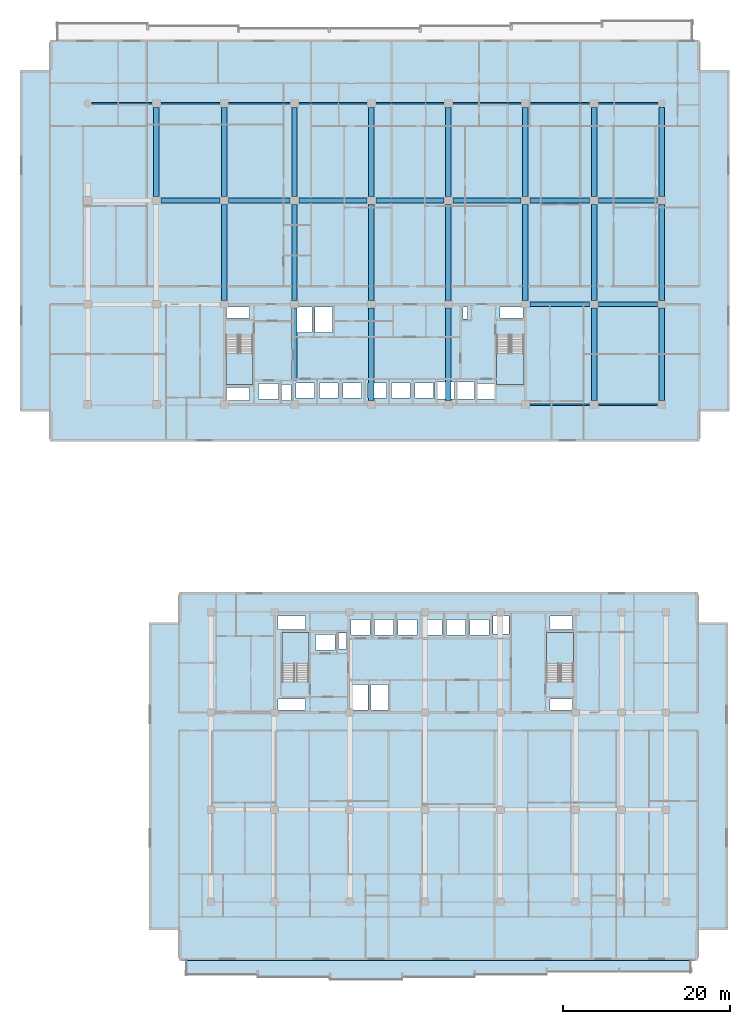
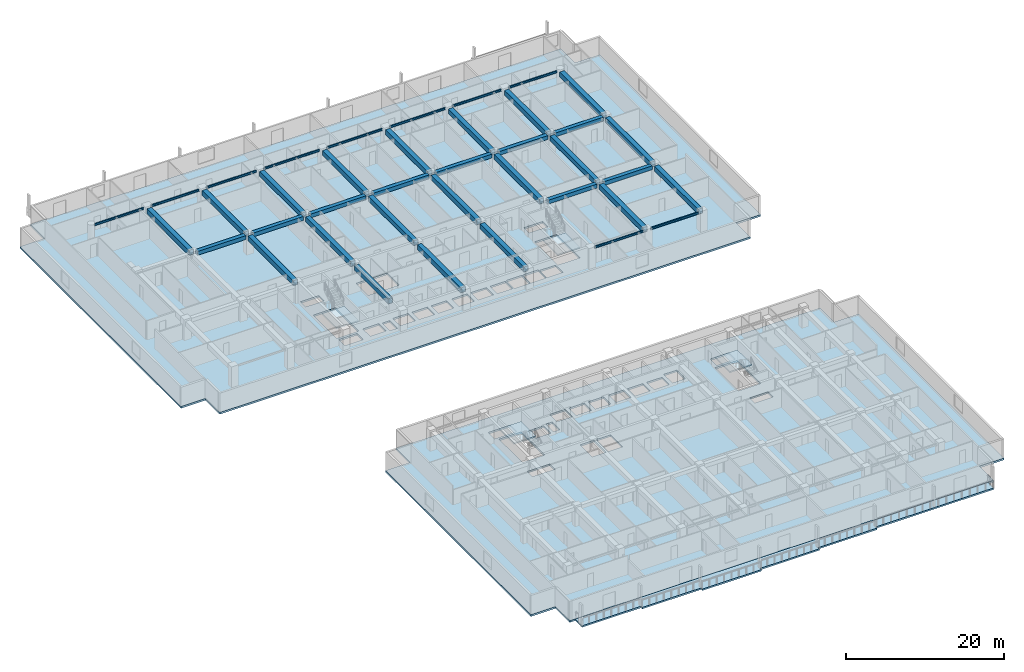
# One storey, part 2 of 24: 39 beams, 7 slabs, 4 elements without a shape of their own.
"""IFC4 building model written with IfcOpenShell, lengths in metres."""

from ifc_helpers import new_model, si_unit, direction, frame, origin, origin_2d, place, context, subcontext, project, spatial, polyline, rectangle, i_section, outline, extrude, material, layer, layer_set, material_profile, profile_set, type_object, element, aggregate, save


model = new_model("IFC4")

# Units and contexts
model_context = context("Model", 3, precision=1e-05, world=origin(), true_north=direction((0.0, 1.0)))
body_context = subcontext(model_context, "Body", "Model", "MODEL_VIEW")
ifc_project = project(units=[si_unit("LENGTHUNIT", "METRE"), si_unit("AREAUNIT", "SQUARE_METRE"), si_unit("VOLUMEUNIT", "CUBIC_METRE"), si_unit("PLANEANGLEUNIT", "RADIAN"), si_unit("MASSUNIT", "GRAM", prefix="KILO")], contexts=[model_context])

# Site, building, storey
site_placement = place(None, origin())
site = spatial("IfcSite", under=ifc_project, at=site_placement, CompositionType="ELEMENT")
building_placement = place(site_placement, origin())
building = spatial("IfcBuilding", under=site, at=building_placement, Name="Korimba Cascade Residences", CompositionType="ELEMENT")
storey_placement = place(building_placement, frame((0.0, 0.0, 63.0)))
storey = spatial("IfcBuildingStorey", under=building, at=storey_placement, Name="L17", CompositionType="ELEMENT", Elevation=63.0)

# Beams
ifc_material_1 = material(Name="Concrete C50/60", Category="concrete")
ifc_material_profile_1 = material_profile(ifc_material_1, rectangle(XDim=0.550048828125, YDim=0.60009765625, at=origin_2d()), Name="Concrete C50/60")
ifc_profile_set_1 = profile_set([ifc_material_profile_1], Name="Concrete C50/60")
beam_type_1 = type_object("IfcBeamType", Name="BM-RC-B600", PredefinedType="BEAM", material=ifc_profile_set_1)
beam_1_placement = place(storey_placement, frame((112.625, 67.199951171875, 2.669921875), z_axis=(1.0, 0.0, 0.0), x_axis=(0.0, 1.0, 0.0)))
element("IfcBeam", 1, at=beam_1_placement, inside=storey, type_object=beam_type_1, Name="L17 T1 E-W Girder Y2 Bay 7", PredefinedType="BEAM", context=body_context, shape_type="SweptSolid", body=[
    extrude(rectangle(XDim=0.550048828125, YDim=0.60009765625, at=origin_2d()), origin(), (0.0, 0.0, 1.0), 7.14990234375),
])
for number, where, z_axis, x_axis, name in (
    (2, (120.824951171875, 67.199951171875, 2.669921875), (1.0, 0.0, 0.0), (0.0, 1.0, 0.0), "L17 T1 E-W Girder Y2 Bay 8"),
    (3, (68.52490234375, 79.60009765625, 2.669921875), (1.0, 0.0, 0.0), (0.0, 1.0, 0.0), "L17 T1 E-W Girder Y3 Bay 2"),
):
    element("IfcBeam", number, at=place(storey_placement, frame(where, z_axis=z_axis, x_axis=x_axis)), inside=storey, type_object=beam_type_1, Name=name, PredefinedType="BEAM", context=body_context, shape_type="SweptSolid", body=[
        extrude(rectangle(XDim=0.550048828125, YDim=0.60009765625, at=origin_2d()), origin(), (0.0, 0.0, 1.0), 7.050048828125),
    ])
beam_2_placement = place(storey_placement, frame((76.625, 79.60009765625, 2.669921875), z_axis=(1.0, 0.0, 0.0), x_axis=(0.0, 1.0, 0.0)))
element("IfcBeam", 4, at=beam_2_placement, inside=storey, type_object=beam_type_1, Name="L17 T1 E-W Girder Y3 Bay 3", PredefinedType="BEAM", context=body_context, shape_type="SweptSolid", body=[
    extrude(rectangle(XDim=0.550048828125, YDim=0.60009765625, at=origin_2d()), origin(), (0.0, 0.0, 1.0), 7.35009765625),
])
beam_3_placement = place(storey_placement, frame((85.02490234375, 79.60009765625, 2.669921875), z_axis=(1.0, 0.0, 0.0), x_axis=(0.0, 1.0, 0.0)))
element("IfcBeam", 5, at=beam_3_placement, inside=storey, type_object=beam_type_1, Name="L17 T1 E-W Girder Y3 Bay 4", PredefinedType="BEAM", context=body_context, shape_type="SweptSolid", body=[
    extrude(rectangle(XDim=0.550048828125, YDim=0.60009765625, at=origin_2d()), origin(), (0.0, 0.0, 1.0), 8.150146484375),
])
for number, where, z_axis, x_axis, name in (
    (6, (94.22509765625, 79.60009765625, 2.669921875), (1.0, 0.0, 0.0), (0.0, 1.0, 0.0), "L17 T1 E-W Girder Y3 Bay 5"),
    (7, (103.425048828125, 79.60009765625, 2.669921875), (1.0, 0.0, 0.0), (0.0, 1.0, 0.0), "L17 T1 E-W Girder Y3 Bay 6"),
):
    element("IfcBeam", number, at=place(storey_placement, frame(where, z_axis=z_axis, x_axis=x_axis)), inside=storey, type_object=beam_type_1, Name=name, PredefinedType="BEAM", context=body_context, shape_type="SweptSolid", body=[
        extrude(rectangle(XDim=0.550048828125, YDim=0.60009765625, at=origin_2d()), origin(), (0.0, 0.0, 1.0), 8.14990234375),
    ])
beam_4_placement = place(storey_placement, frame((112.625, 79.60009765625, 2.669921875), z_axis=(1.0, 0.0, 0.0), x_axis=(0.0, 1.0, 0.0)))
element("IfcBeam", 8, at=beam_4_placement, inside=storey, type_object=beam_type_1, Name="L17 T1 E-W Girder Y3 Bay 7", PredefinedType="BEAM", context=body_context, shape_type="SweptSolid", body=[
    extrude(rectangle(XDim=0.550048828125, YDim=0.60009765625, at=origin_2d()), origin(), (0.0, 0.0, 1.0), 7.14990234375),
])
beam_5_placement = place(storey_placement, frame((120.824951171875, 79.60009765625, 2.669921875), z_axis=(1.0, 0.0, 0.0), x_axis=(0.0, 1.0, 0.0)))
element("IfcBeam", 9, at=beam_5_placement, inside=storey, type_object=beam_type_1, Name="L17 T1 E-W Girder Y3 Bay 8", PredefinedType="BEAM", context=body_context, shape_type="SweptSolid", body=[
    extrude(rectangle(XDim=0.550048828125, YDim=0.60009765625, at=origin_2d()), origin(), (0.0, 0.0, 1.0), 7.050048828125),
])
ifc_material_profile_2 = material_profile(ifc_material_1, rectangle(XDim=0.64990234375, YDim=0.75, at=origin_2d()), Name="Concrete C50/60")
ifc_profile_set_2 = profile_set([ifc_material_profile_2], Name="Concrete C50/60")
beam_type_2 = type_object("IfcBeamType", Name="BM-RC-G750", PredefinedType="BEAM", material=ifc_profile_set_2)
beam_6_placement = place(storey_placement, frame((68.0, 80.074951171875, 2.594970703125), z_axis=(0.0, 1.0, 0.0), x_axis=(-1.0, 0.0, 0.0)))
element("IfcBeam", 10, at=beam_6_placement, inside=storey, type_object=beam_type_2, Name="L17 T1 N-S Girder X2 Seg 3", PredefinedType="BEAM", context=body_context, shape_type="SweptSolid", body=[
    extrude(rectangle(XDim=0.64990234375, YDim=0.75, at=origin_2d()), origin(), (0.0, 0.0, 1.0), 10.650146484375),
])
beam_7_placement = place(storey_placement, frame((76.10009765625, 67.675048828125, 2.594970703125), z_axis=(0.0, 1.0, 0.0), x_axis=(-1.0, 0.0, 0.0)))
element("IfcBeam", 11, at=beam_7_placement, inside=storey, type_object=beam_type_2, Name="L17 T1 N-S Girder X3 Seg 2", PredefinedType="BEAM", context=body_context, shape_type="SweptSolid", body=[
    extrude(rectangle(XDim=0.64990234375, YDim=0.75, at=origin_2d()), origin(), (0.0, 0.0, 1.0), 11.449951171875),
])
beam_8_placement = place(storey_placement, frame((76.10009765625, 80.074951171875, 2.594970703125), z_axis=(0.0, 1.0, 0.0), x_axis=(-1.0, 0.0, 0.0)))
element("IfcBeam", 12, at=beam_8_placement, inside=storey, type_object=beam_type_2, Name="L17 T1 N-S Girder X3 Seg 3", PredefinedType="BEAM", context=body_context, shape_type="SweptSolid", body=[
    extrude(rectangle(XDim=0.64990234375, YDim=0.75, at=origin_2d()), origin(), (0.0, 0.0, 1.0), 10.650146484375),
])
beam_9_placement = place(storey_placement, frame((84.5, 58.159912109375, 2.594970703125), z_axis=(0.0, 1.0, 0.0), x_axis=(-1.0, 0.0, 0.0)))
element("IfcBeam", 13, at=beam_9_placement, inside=storey, type_object=beam_type_2, Name="L17 T1 N-S Girder X4 Seg 1", PredefinedType="BEAM", context=body_context, shape_type="SweptSolid", body=[
    extrude(rectangle(XDim=0.64990234375, YDim=0.75, at=origin_2d()), origin(), (0.0, 0.0, 1.0), 8.565185546875),
])
beam_10_placement = place(storey_placement, frame((84.5, 67.675048828125, 2.594970703125), z_axis=(0.0, 1.0, 0.0), x_axis=(-1.0, 0.0, 0.0)))
element("IfcBeam", 14, at=beam_10_placement, inside=storey, type_object=beam_type_2, Name="L17 T1 N-S Girder X4 Seg 2", PredefinedType="BEAM", context=body_context, shape_type="SweptSolid", body=[
    extrude(rectangle(XDim=0.64990234375, YDim=0.75, at=origin_2d()), origin(), (0.0, 0.0, 1.0), 11.449951171875),
])
beam_11_placement = place(storey_placement, frame((84.5, 80.074951171875, 2.594970703125), z_axis=(0.0, 1.0, 0.0), x_axis=(-1.0, 0.0, 0.0)))
element("IfcBeam", 15, at=beam_11_placement, inside=storey, type_object=beam_type_2, Name="L17 T1 N-S Girder X4 Seg 3", PredefinedType="BEAM", context=body_context, shape_type="SweptSolid", body=[
    extrude(rectangle(XDim=0.64990234375, YDim=0.75, at=origin_2d()), origin(), (0.0, 0.0, 1.0), 10.650146484375),
])
beam_12_placement = place(storey_placement, frame((93.699951171875, 55.675048828125, 2.594970703125), z_axis=(0.0, 1.0, 0.0), x_axis=(-1.0, 0.0, 0.0)))
element("IfcBeam", 16, at=beam_12_placement, inside=storey, type_object=beam_type_2, Name="L17 T1 N-S Girder X5 Seg 1", PredefinedType="BEAM", context=body_context, shape_type="SweptSolid", body=[
    extrude(rectangle(XDim=0.64990234375, YDim=0.75, at=origin_2d()), origin(), (0.0, 0.0, 1.0), 11.050048828125),
])
beam_13_placement = place(storey_placement, frame((93.699951171875, 67.675048828125, 2.594970703125), z_axis=(0.0, 1.0, 0.0), x_axis=(-1.0, 0.0, 0.0)))
element("IfcBeam", 17, at=beam_13_placement, inside=storey, type_object=beam_type_2, Name="L17 T1 N-S Girder X5 Seg 2", PredefinedType="BEAM", context=body_context, shape_type="SweptSolid", body=[
    extrude(rectangle(XDim=0.64990234375, YDim=0.75, at=origin_2d()), origin(), (0.0, 0.0, 1.0), 11.449951171875),
])
beam_14_placement = place(storey_placement, frame((93.699951171875, 80.074951171875, 2.594970703125), z_axis=(0.0, 1.0, 0.0), x_axis=(-1.0, 0.0, 0.0)))
element("IfcBeam", 18, at=beam_14_placement, inside=storey, type_object=beam_type_2, Name="L17 T1 N-S Girder X5 Seg 3", PredefinedType="BEAM", context=body_context, shape_type="SweptSolid", body=[
    extrude(rectangle(XDim=0.64990234375, YDim=0.75, at=origin_2d()), origin(), (0.0, 0.0, 1.0), 10.650146484375),
])
beam_15_placement = place(storey_placement, frame((102.89990234375, 55.675048828125, 2.594970703125), z_axis=(0.0, 1.0, 0.0), x_axis=(-1.0, 0.0, 0.0)))
element("IfcBeam", 19, at=beam_15_placement, inside=storey, type_object=beam_type_2, Name="L17 T1 N-S Girder X6 Seg 1", PredefinedType="BEAM", context=body_context, shape_type="SweptSolid", body=[
    extrude(rectangle(XDim=0.64990234375, YDim=0.75, at=origin_2d()), origin(), (0.0, 0.0, 1.0), 11.050048828125),
])
beam_16_placement = place(storey_placement, frame((102.89990234375, 67.675048828125, 2.594970703125), z_axis=(0.0, 1.0, 0.0), x_axis=(-1.0, 0.0, 0.0)))
element("IfcBeam", 20, at=beam_16_placement, inside=storey, type_object=beam_type_2, Name="L17 T1 N-S Girder X6 Seg 2", PredefinedType="BEAM", context=body_context, shape_type="SweptSolid", body=[
    extrude(rectangle(XDim=0.64990234375, YDim=0.75, at=origin_2d()), origin(), (0.0, 0.0, 1.0), 11.449951171875),
])
beam_17_placement = place(storey_placement, frame((102.89990234375, 80.074951171875, 2.594970703125), z_axis=(0.0, 1.0, 0.0), x_axis=(-1.0, 0.0, 0.0)))
element("IfcBeam", 21, at=beam_17_placement, inside=storey, type_object=beam_type_2, Name="L17 T1 N-S Girder X6 Seg 3", PredefinedType="BEAM", context=body_context, shape_type="SweptSolid", body=[
    extrude(rectangle(XDim=0.64990234375, YDim=0.75, at=origin_2d()), origin(), (0.0, 0.0, 1.0), 10.650146484375),
])
beam_18_placement = place(storey_placement, frame((112.10009765625, 67.675048828125, 2.594970703125), z_axis=(0.0, 1.0, 0.0), x_axis=(-1.0, 0.0, 0.0)))
element("IfcBeam", 22, at=beam_18_placement, inside=storey, type_object=beam_type_2, Name="L17 T1 N-S Girder X7 Seg 2", PredefinedType="BEAM", context=body_context, shape_type="SweptSolid", body=[
    extrude(rectangle(XDim=0.64990234375, YDim=0.75, at=origin_2d()), origin(), (0.0, 0.0, 1.0), 11.449951171875),
])
beam_19_placement = place(storey_placement, frame((112.10009765625, 80.074951171875, 2.594970703125), z_axis=(0.0, 1.0, 0.0), x_axis=(-1.0, 0.0, 0.0)))
element("IfcBeam", 23, at=beam_19_placement, inside=storey, type_object=beam_type_2, Name="L17 T1 N-S Girder X7 Seg 3", PredefinedType="BEAM", context=body_context, shape_type="SweptSolid", body=[
    extrude(rectangle(XDim=0.64990234375, YDim=0.75, at=origin_2d()), origin(), (0.0, 0.0, 1.0), 10.650146484375),
])
beam_20_placement = place(storey_placement, frame((120.300048828125, 55.675048828125, 2.594970703125), z_axis=(0.0, 1.0, 0.0), x_axis=(-1.0, 0.0, 0.0)))
element("IfcBeam", 24, at=beam_20_placement, inside=storey, type_object=beam_type_2, Name="L17 T1 N-S Girder X8 Seg 1", PredefinedType="BEAM", context=body_context, shape_type="SweptSolid", body=[
    extrude(rectangle(XDim=0.64990234375, YDim=0.75, at=origin_2d()), origin(), (0.0, 0.0, 1.0), 11.050048828125),
])
beam_21_placement = place(storey_placement, frame((120.300048828125, 67.675048828125, 2.594970703125), z_axis=(0.0, 1.0, 0.0), x_axis=(-1.0, 0.0, 0.0)))
element("IfcBeam", 25, at=beam_21_placement, inside=storey, type_object=beam_type_2, Name="L17 T1 N-S Girder X8 Seg 2", PredefinedType="BEAM", context=body_context, shape_type="SweptSolid", body=[
    extrude(rectangle(XDim=0.64990234375, YDim=0.75, at=origin_2d()), origin(), (0.0, 0.0, 1.0), 11.449951171875),
])
beam_22_placement = place(storey_placement, frame((120.300048828125, 80.074951171875, 2.594970703125), z_axis=(0.0, 1.0, 0.0), x_axis=(-1.0, 0.0, 0.0)))
element("IfcBeam", 26, at=beam_22_placement, inside=storey, type_object=beam_type_2, Name="L17 T1 N-S Girder X8 Seg 3", PredefinedType="BEAM", context=body_context, shape_type="SweptSolid", body=[
    extrude(rectangle(XDim=0.64990234375, YDim=0.75, at=origin_2d()), origin(), (0.0, 0.0, 1.0), 10.650146484375),
])
beam_23_placement = place(storey_placement, frame((128.39990234375, 55.675048828125, 2.594970703125), z_axis=(0.0, 1.0, 0.0), x_axis=(-1.0, 0.0, 0.0)))
element("IfcBeam", 27, at=beam_23_placement, inside=storey, type_object=beam_type_2, Name="L17 T1 N-S Girder X9 Seg 1", PredefinedType="BEAM", context=body_context, shape_type="SweptSolid", body=[
    extrude(rectangle(XDim=0.64990234375, YDim=0.75, at=origin_2d()), origin(), (0.0, 0.0, 1.0), 11.050048828125),
])
beam_24_placement = place(storey_placement, frame((128.39990234375, 67.675048828125, 2.594970703125), z_axis=(0.0, 1.0, 0.0), x_axis=(-1.0, 0.0, 0.0)))
element("IfcBeam", 28, at=beam_24_placement, inside=storey, type_object=beam_type_2, Name="L17 T1 N-S Girder X9 Seg 2", PredefinedType="BEAM", context=body_context, shape_type="SweptSolid", body=[
    extrude(rectangle(XDim=0.64990234375, YDim=0.75, at=origin_2d()), origin(), (0.0, 0.0, 1.0), 11.449951171875),
])
beam_25_placement = place(storey_placement, frame((128.39990234375, 80.074951171875, 2.594970703125), z_axis=(0.0, 1.0, 0.0), x_axis=(-1.0, 0.0, 0.0)))
element("IfcBeam", 29, at=beam_25_placement, inside=storey, type_object=beam_type_2, Name="L17 T1 N-S Girder X9 Seg 3", PredefinedType="BEAM", context=body_context, shape_type="SweptSolid", body=[
    extrude(rectangle(XDim=0.64990234375, YDim=0.75, at=origin_2d()), origin(), (0.0, 0.0, 1.0), 10.650146484375),
])
ifc_material_2 = material(Name="Steel S355", Category="steel")
ifc_material_profile_3 = material_profile(ifc_material_2, i_section(OverallWidth=0.165771484375, OverallDepth=0.306640625, WebThickness=0.006591796875, FlangeThickness=0.01171875, FilletRadius=0.0087890625, at=origin_2d()), Name="Steel S355")
ifc_profile_set_3 = profile_set([ifc_material_profile_3], Name="Steel S355")
beam_type_3 = type_object("IfcBeamType", Name="BM-STL-UB305", PredefinedType="SPANDREL", material=ifc_profile_set_3)
beam_26_placement = place(storey_placement, frame((112.625, 55.199951171875, 2.816650390625), z_axis=(1.0, 0.0, 0.0), x_axis=(0.0, 1.0, 0.0)))
element("IfcBeam", 30, at=beam_26_placement, inside=storey, type_object=beam_type_3, Name="L17 T1 E-W Girder Y1 Bay 7", PredefinedType="SPANDREL", context=body_context, shape_type="SweptSolid", body=[
    extrude(i_section(OverallWidth=0.165771484375, OverallDepth=0.306640625, WebThickness=0.006591796875, FlangeThickness=0.01171875, FilletRadius=0.0087890625, at=origin_2d()), origin(), (0.0, 0.0, 1.0), 7.14990234375),
])
beam_27_placement = place(storey_placement, frame((120.824951171875, 55.199951171875, 2.816650390625), z_axis=(1.0, 0.0, 0.0), x_axis=(0.0, 1.0, 0.0)))
element("IfcBeam", 31, at=beam_27_placement, inside=storey, type_object=beam_type_3, Name="L17 T1 E-W Girder Y1 Bay 8", PredefinedType="SPANDREL", context=body_context, shape_type="SweptSolid", body=[
    extrude(i_section(OverallWidth=0.165771484375, OverallDepth=0.306640625, WebThickness=0.006591796875, FlangeThickness=0.01171875, FilletRadius=0.0087890625, at=origin_2d()), origin(), (0.0, 0.0, 1.0), 7.050048828125),
])
beam_28_placement = place(storey_placement, frame((60.27490234375, 91.199951171875, 2.816650390625), z_axis=(1.0, 0.0, 0.0), x_axis=(0.0, 1.0, 0.0)))
element("IfcBeam", 32, at=beam_28_placement, inside=storey, type_object=beam_type_3, Name="L17 T1 E-W Girder Y4 Bay 1", PredefinedType="SPANDREL", context=body_context, shape_type="SweptSolid", body=[
    extrude(i_section(OverallWidth=0.165771484375, OverallDepth=0.306640625, WebThickness=0.006591796875, FlangeThickness=0.01171875, FilletRadius=0.0087890625, at=origin_2d()), origin(), (0.0, 0.0, 1.0), 7.2001953125),
])
beam_29_placement = place(storey_placement, frame((68.52490234375, 91.199951171875, 2.816650390625), z_axis=(1.0, 0.0, 0.0), x_axis=(0.0, 1.0, 0.0)))
element("IfcBeam", 33, at=beam_29_placement, inside=storey, type_object=beam_type_3, Name="L17 T1 E-W Girder Y4 Bay 2", PredefinedType="SPANDREL", context=body_context, shape_type="SweptSolid", body=[
    extrude(i_section(OverallWidth=0.165771484375, OverallDepth=0.306640625, WebThickness=0.006591796875, FlangeThickness=0.01171875, FilletRadius=0.0087890625, at=origin_2d()), origin(), (0.0, 0.0, 1.0), 7.050048828125),
])
beam_30_placement = place(storey_placement, frame((76.625, 91.199951171875, 2.816650390625), z_axis=(1.0, 0.0, 0.0), x_axis=(0.0, 1.0, 0.0)))
element("IfcBeam", 34, at=beam_30_placement, inside=storey, type_object=beam_type_3, Name="L17 T1 E-W Girder Y4 Bay 3", PredefinedType="SPANDREL", context=body_context, shape_type="SweptSolid", body=[
    extrude(i_section(OverallWidth=0.165771484375, OverallDepth=0.306640625, WebThickness=0.006591796875, FlangeThickness=0.01171875, FilletRadius=0.0087890625, at=origin_2d()), origin(), (0.0, 0.0, 1.0), 7.35009765625),
])
beam_31_placement = place(storey_placement, frame((85.02490234375, 91.199951171875, 2.816650390625), z_axis=(1.0, 0.0, 0.0), x_axis=(0.0, 1.0, 0.0)))
element("IfcBeam", 35, at=beam_31_placement, inside=storey, type_object=beam_type_3, Name="L17 T1 E-W Girder Y4 Bay 4", PredefinedType="SPANDREL", context=body_context, shape_type="SweptSolid", body=[
    extrude(i_section(OverallWidth=0.165771484375, OverallDepth=0.306640625, WebThickness=0.006591796875, FlangeThickness=0.01171875, FilletRadius=0.0087890625, at=origin_2d()), origin(), (0.0, 0.0, 1.0), 8.150146484375),
])
for number, where, z_axis, x_axis, name in (
    (36, (94.22509765625, 91.199951171875, 2.816650390625), (1.0, 0.0, 0.0), (0.0, 1.0, 0.0), "L17 T1 E-W Girder Y4 Bay 5"),
    (37, (103.425048828125, 91.199951171875, 2.816650390625), (1.0, 0.0, 0.0), (0.0, 1.0, 0.0), "L17 T1 E-W Girder Y4 Bay 6"),
):
    element("IfcBeam", number, at=place(storey_placement, frame(where, z_axis=z_axis, x_axis=x_axis)), inside=storey, type_object=beam_type_3, Name=name, PredefinedType="SPANDREL", context=body_context, shape_type="SweptSolid", body=[
        extrude(i_section(OverallWidth=0.165771484375, OverallDepth=0.306640625, WebThickness=0.006591796875, FlangeThickness=0.01171875, FilletRadius=0.0087890625, at=origin_2d()), origin(), (0.0, 0.0, 1.0), 8.14990234375),
    ])
beam_32_placement = place(storey_placement, frame((112.625, 91.199951171875, 2.816650390625), z_axis=(1.0, 0.0, 0.0), x_axis=(0.0, 1.0, 0.0)))
element("IfcBeam", 38, at=beam_32_placement, inside=storey, type_object=beam_type_3, Name="L17 T1 E-W Girder Y4 Bay 7", PredefinedType="SPANDREL", context=body_context, shape_type="SweptSolid", body=[
    extrude(i_section(OverallWidth=0.165771484375, OverallDepth=0.306640625, WebThickness=0.006591796875, FlangeThickness=0.01171875, FilletRadius=0.0087890625, at=origin_2d()), origin(), (0.0, 0.0, 1.0), 7.14990234375),
])
beam_33_placement = place(storey_placement, frame((120.824951171875, 91.199951171875, 2.816650390625), z_axis=(1.0, 0.0, 0.0), x_axis=(0.0, 1.0, 0.0)))
element("IfcBeam", 39, at=beam_33_placement, inside=storey, type_object=beam_type_3, Name="L17 T1 E-W Girder Y4 Bay 8", PredefinedType="SPANDREL", context=body_context, shape_type="SweptSolid", body=[
    extrude(i_section(OverallWidth=0.165771484375, OverallDepth=0.306640625, WebThickness=0.006591796875, FlangeThickness=0.01171875, FilletRadius=0.0087890625, at=origin_2d()), origin(), (0.0, 0.0, 1.0), 7.10009765625),
])

# Stair, slab
stair_type_1 = type_object("IfcStairType", Name="STR-W1-18R-1806", PredefinedType="HALF_TURN_STAIR", material=ifc_material_1)
stair_1_placement = place(storey_placement, origin())
stair_1 = element("IfcStair", 40, at=stair_1_placement, inside=storey, type_object=stair_type_1, Name="L17 Tower 1 West Fire Stair ST-W1", PredefinedType="HALF_TURN_STAIR")
ifc_layer_1 = layer(ifc_material_1, 0.199951171875)
ifc_layer_set_1 = layer_set([ifc_layer_1], Name="Concrete C50/60")
slab_type_1 = type_object("IfcSlabType", Name="SLB-LND-220", PredefinedType="LANDING", material=ifc_layer_set_1)
slab_1_placement = place(storey_placement, frame((0.0, 0.0, 1.425048828125)))
slab_1 = element("IfcSlab", 41, at=slab_1_placement, type_object=slab_type_1, Name="ST-W1 landing 1", PredefinedType="LANDING", context=body_context, shape_type="SweptSolid", body=[
    extrude(outline(polyline([(76.300048828125, 61.31005859375), (76.300048828125, 57.60009765625), (79.5400390625, 57.60009765625), (79.5400390625, 61.31005859375), (76.300048828125, 61.31005859375)])), origin(), (0.0, 0.0, 1.0), 0.199951171875),
])
aggregate(stair_1, [slab_1])

stair_type_2 = type_object("IfcStairType", Name="STR-W2-18R-1806", PredefinedType="HALF_TURN_STAIR", material=ifc_material_1)
stair_2_placement = place(storey_placement, origin())
stair_2 = element("IfcStair", 42, at=stair_2_placement, inside=storey, type_object=stair_type_2, Name="L17 Tower 1 East Fire Stair ST-W2", PredefinedType="HALF_TURN_STAIR")
slab_2_placement = place(storey_placement, frame((0.0, 0.0, 1.425048828125)))
slab_2 = element("IfcSlab", 43, at=slab_2_placement, type_object=slab_type_1, Name="ST-W2 landing 1", PredefinedType="LANDING", context=body_context, shape_type="SweptSolid", body=[
    extrude(outline(polyline([(108.659912109375, 61.31005859375), (108.659912109375, 57.60009765625), (111.89990234375, 57.60009765625), (111.89990234375, 61.31005859375), (108.659912109375, 61.31005859375)])), origin(), (0.0, 0.0, 1.0), 0.199951171875),
])
aggregate(stair_2, [slab_2])

stair_type_3 = type_object("IfcStairType", Name="STR-E1-18R-1806", PredefinedType="HALF_TURN_STAIR", material=ifc_material_1)
stair_3_placement = place(storey_placement, origin())
stair_3 = element("IfcStair", 44, at=stair_3_placement, inside=storey, type_object=stair_type_3, Name="L17 Tower 2 West Fire Stair ST-E1", PredefinedType="HALF_TURN_STAIR")
slab_3_placement = place(storey_placement, frame((0.0, 0.0, 1.425048828125)))
slab_3 = element("IfcSlab", 45, at=slab_3_placement, type_object=slab_type_1, Name="ST-E1 landing 1", PredefinedType="LANDING", context=body_context, shape_type="SweptSolid", body=[
    extrude(outline(polyline([(86.239990234375, 24.2900390625), (86.239990234375, 28.0), (83.0, 28.0), (83.0, 24.2900390625), (86.239990234375, 24.2900390625)])), origin(), (0.0, 0.0, 1.0), 0.199951171875),
])
aggregate(stair_3, [slab_3])

stair_type_4 = type_object("IfcStairType", Name="STR-E2-18R-1806", PredefinedType="HALF_TURN_STAIR", material=ifc_material_1)
stair_4_placement = place(storey_placement, origin())
stair_4 = element("IfcStair", 46, at=stair_4_placement, inside=storey, type_object=stair_type_4, Name="L17 Tower 2 East Fire Stair ST-E2", PredefinedType="HALF_TURN_STAIR")
slab_4_placement = place(storey_placement, frame((0.0, 0.0, 1.425048828125)))
slab_4 = element("IfcSlab", 47, at=slab_4_placement, type_object=slab_type_1, Name="ST-E2 landing 1", PredefinedType="LANDING", context=body_context, shape_type="SweptSolid", body=[
    extrude(outline(polyline([(117.840087890625, 24.2900390625), (117.840087890625, 28.0), (114.60009765625, 28.0), (114.60009765625, 24.2900390625), (117.840087890625, 24.2900390625)])), origin(), (0.0, 0.0, 1.0), 0.199951171875),
])
aggregate(stair_4, [slab_4])

# Slabs
ifc_material_3 = material(Name="Precast concrete C40/50", Category="concrete")
ifc_layer_2 = layer(ifc_material_3, 0.239990234375)
ifc_layer_set_2 = layer_set([ifc_layer_2], Name="Precast concrete C40/50")
slab_type_2 = type_object("IfcSlabType", Name="SLB-LOG-240", PredefinedType="FLOOR", material=ifc_layer_set_2)
slab_5_placement = place(storey_placement, frame((0.0, 0.0, -0.239990234375)))
element("IfcSlab", 48, at=slab_5_placement, inside=storey, type_object=slab_type_2, Name="L17 Tower 2 South Loggia Slab", PredefinedType="FLOOR", context=body_context, shape_type="SweptSolid", body=[
    extrude(outline(polyline([(71.5, -12.949951171875), (80.128662109375, -12.949951171875), (80.128662109375, -13.25), (88.757080078125, -13.25), (88.757080078125, -13.550048828125), (97.3857421875, -13.550048828125), (97.3857421875, -13.25), (106.014404296875, -13.25), (106.014404296875, -12.949951171875), (114.642822265625, -12.949951171875), (114.642822265625, -12.64990234375), (131.89990234375, -12.64990234375), (131.89990234375, -11.199951171875), (71.5, -11.199951171875), (71.5, -12.949951171875)])), origin(), (0.0, 0.0, 1.0), 0.239990234375),
])
ifc_layer_3 = layer(ifc_material_1, 0.280029296875)
ifc_layer_set_3 = layer_set([ifc_layer_3], Name="Concrete C50/60")
slab_type_3 = type_object("IfcSlabType", Name="SLB-TYP-280", PredefinedType="FLOOR", material=ifc_layer_set_3)
slab_6_placement = place(storey_placement, frame((0.0, 0.0, -0.280029296875)))
element("IfcSlab", 49, at=slab_6_placement, inside=storey, type_object=slab_type_3, Name="L17 Tower 1 Floor Slab", PredefinedType="FLOOR", context=body_context, shape_type="SweptSolid", body=[
    extrude(outline(polyline([(55.300048828125, 50.800048828125), (132.89990234375, 50.800048828125), (132.89990234375, 54.39990234375), (136.5, 54.39990234375), (136.5, 95.199951171875), (132.89990234375, 95.199951171875), (132.89990234375, 98.800048828125), (55.300048828125, 98.800048828125), (55.300048828125, 95.199951171875), (51.699951171875, 95.199951171875), (51.699951171875, 54.39990234375), (55.300048828125, 54.39990234375), (55.300048828125, 50.800048828125)]), holes=[polyline([(76.300048828125, 63.514892578125), (76.300048828125, 57.60009765625), (79.5400390625, 57.60009765625), (79.5400390625, 63.514892578125), (76.300048828125, 63.514892578125)]), polyline([(108.659912109375, 63.514892578125), (108.659912109375, 57.60009765625), (111.89990234375, 57.60009765625), (111.89990234375, 63.514892578125), (108.659912109375, 63.514892578125)]), polyline([(80.22998046875, 55.8798828125), (82.570068359375, 55.8798828125), (82.570068359375, 57.719970703125), (80.22998046875, 57.719970703125), (80.22998046875, 55.8798828125)]), polyline([(106.080078125, 55.8798828125), (108.419921875, 55.8798828125), (108.419921875, 57.719970703125), (106.080078125, 57.719970703125), (106.080078125, 55.8798828125)]), polyline([(84.679931640625, 55.97998046875), (86.919921875, 55.97998046875), (86.919921875, 57.820068359375), (84.679931640625, 57.820068359375), (84.679931640625, 55.97998046875)]), polyline([(87.47998046875, 55.97998046875), (89.719970703125, 55.97998046875), (89.719970703125, 57.820068359375), (87.47998046875, 57.820068359375), (87.47998046875, 55.97998046875)]), polyline([(90.280029296875, 55.97998046875), (92.52001953125, 55.97998046875), (92.52001953125, 57.820068359375), (90.280029296875, 57.820068359375), (90.280029296875, 55.97998046875)]), polyline([(93.280029296875, 55.97998046875), (95.52001953125, 55.97998046875), (95.52001953125, 57.820068359375), (93.280029296875, 57.820068359375), (93.280029296875, 55.97998046875)]), polyline([(96.080078125, 55.97998046875), (98.320068359375, 55.97998046875), (98.320068359375, 57.820068359375), (96.080078125, 57.820068359375), (96.080078125, 55.97998046875)]), polyline([(98.8798828125, 55.97998046875), (101.1201171875, 55.97998046875), (101.1201171875, 57.820068359375), (98.8798828125, 57.820068359375), (98.8798828125, 55.97998046875)]), polyline([(101.304931640625, 55.8798828125), (103.594970703125, 55.8798828125), (103.594970703125, 57.919921875), (101.304931640625, 57.919921875), (101.304931640625, 55.8798828125)]), polyline([(103.705078125, 55.8798828125), (105.9951171875, 55.8798828125), (105.9951171875, 57.919921875), (103.705078125, 57.919921875), (103.705078125, 55.8798828125)]), polyline([(82.97998046875, 55.679931640625), (84.080078125, 55.679931640625), (84.080078125, 57.6201171875), (82.97998046875, 57.6201171875), (82.97998046875, 55.679931640625)]), polyline([(76.39990234375, 65.56005859375), (79.10009765625, 65.56005859375), (79.10009765625, 66.8798828125), (76.39990234375, 66.8798828125), (76.39990234375, 65.56005859375)]), polyline([(76.39990234375, 55.679931640625), (79.10009765625, 55.679931640625), (79.10009765625, 57.239990234375), (76.39990234375, 57.239990234375), (76.39990234375, 55.679931640625)]), polyline([(84.530029296875, 63.820068359375), (86.6201171875, 63.820068359375), (86.6201171875, 66.8798828125), (84.530029296875, 66.8798828125), (84.530029296875, 63.820068359375)]), polyline([(86.97998046875, 63.820068359375), (89.070068359375, 63.820068359375), (89.070068359375, 66.8798828125), (86.97998046875, 66.8798828125), (86.97998046875, 63.820068359375)]), polyline([(104.6201171875, 65.4599609375), (105.179931640625, 65.4599609375), (105.179931640625, 66.8798828125), (104.6201171875, 66.8798828125), (104.6201171875, 65.4599609375)]), polyline([(109.080078125, 65.56005859375), (111.800048828125, 65.56005859375), (111.800048828125, 66.8798828125), (109.080078125, 66.8798828125), (109.080078125, 65.56005859375)])]), origin(), (0.0, 0.0, 1.0), 0.280029296875),
])
slab_7_placement = place(storey_placement, frame((0.0, 0.0, -0.280029296875)))
element("IfcSlab", 50, at=slab_7_placement, inside=storey, type_object=slab_type_3, Name="L17 Tower 2 Floor Slab", PredefinedType="FLOOR", context=body_context, shape_type="SweptSolid", body=[
    extrude(outline(polyline([(70.699951171875, -11.199951171875), (132.699951171875, -11.199951171875), (132.699951171875, -7.60009765625), (136.300048828125, -7.60009765625), (136.300048828125, 29.199951171875), (132.699951171875, 29.199951171875), (132.699951171875, 32.800048828125), (70.699951171875, 32.800048828125), (70.699951171875, 29.199951171875), (67.10009765625, 29.199951171875), (67.10009765625, -7.60009765625), (70.699951171875, -7.60009765625), (70.699951171875, -11.199951171875)]), holes=[polyline([(86.239990234375, 22.0849609375), (86.239990234375, 28.0), (83.0, 28.0), (83.0, 22.0849609375), (86.239990234375, 22.0849609375)]), polyline([(117.840087890625, 22.0849609375), (117.840087890625, 28.0), (114.60009765625, 28.0), (114.60009765625, 22.0849609375), (117.840087890625, 22.0849609375)]), polyline([(87.030029296875, 25.8798828125), (89.3701171875, 25.8798828125), (89.3701171875, 27.719970703125), (87.030029296875, 27.719970703125), (87.030029296875, 25.8798828125)]), polyline([(91.280029296875, 27.679931640625), (93.52001953125, 27.679931640625), (93.52001953125, 29.52001953125), (91.280029296875, 29.52001953125), (91.280029296875, 27.679931640625)]), polyline([(94.080078125, 27.679931640625), (96.320068359375, 27.679931640625), (96.320068359375, 29.52001953125), (94.080078125, 29.52001953125), (94.080078125, 27.679931640625)]), polyline([(96.8798828125, 27.679931640625), (99.1201171875, 27.679931640625), (99.1201171875, 29.52001953125), (96.8798828125, 29.52001953125), (96.8798828125, 27.679931640625)]), polyline([(99.8798828125, 27.679931640625), (102.1201171875, 27.679931640625), (102.1201171875, 29.52001953125), (99.8798828125, 29.52001953125), (99.8798828125, 27.679931640625)]), polyline([(102.679931640625, 27.679931640625), (104.919921875, 27.679931640625), (104.919921875, 29.52001953125), (102.679931640625, 29.52001953125), (102.679931640625, 27.679931640625)]), polyline([(105.47998046875, 27.679931640625), (107.719970703125, 27.679931640625), (107.719970703125, 29.52001953125), (105.47998046875, 29.52001953125), (105.47998046875, 27.679931640625)]), polyline([(89.780029296875, 25.97998046875), (90.719970703125, 25.97998046875), (90.719970703125, 27.919921875), (89.780029296875, 27.919921875), (89.780029296875, 25.97998046875)]), polyline([(82.530029296875, 18.72998046875), (85.800048828125, 18.72998046875), (85.800048828125, 20.0400390625), (82.530029296875, 20.0400390625), (82.530029296875, 18.72998046875)]), polyline([(82.530029296875, 28.360107421875), (85.800048828125, 28.360107421875), (85.800048828125, 29.969970703125), (82.530029296875, 29.969970703125), (82.530029296875, 28.360107421875)]), polyline([(108.22998046875, 27.780029296875), (110.1201171875, 27.780029296875), (110.1201171875, 29.969970703125), (108.22998046875, 29.969970703125), (108.22998046875, 27.780029296875)]), polyline([(91.22998046875, 18.72998046875), (93.27001953125, 18.72998046875), (93.27001953125, 21.780029296875), (91.22998046875, 21.780029296875), (91.22998046875, 18.72998046875)]), polyline([(93.6298828125, 18.72998046875), (95.719970703125, 18.72998046875), (95.719970703125, 21.780029296875), (93.6298828125, 21.780029296875), (93.6298828125, 18.72998046875)]), polyline([(115.02001953125, 18.72998046875), (117.739990234375, 18.72998046875), (117.739990234375, 20.0400390625), (115.02001953125, 20.0400390625), (115.02001953125, 18.72998046875)]), polyline([(115.02001953125, 28.360107421875), (117.739990234375, 28.360107421875), (117.739990234375, 29.969970703125), (115.02001953125, 29.969970703125), (115.02001953125, 28.360107421875)])]), origin(), (0.0, 0.0, 1.0), 0.280029296875),
])

save(model, "model.ifc")
